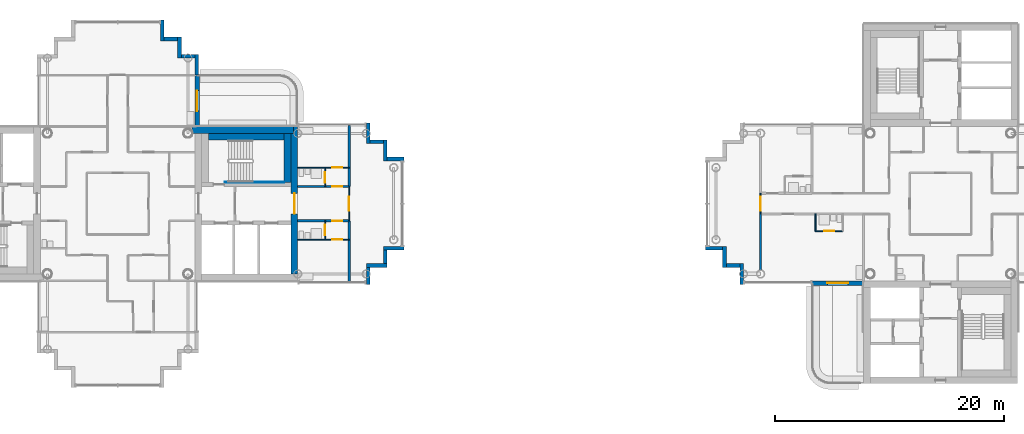
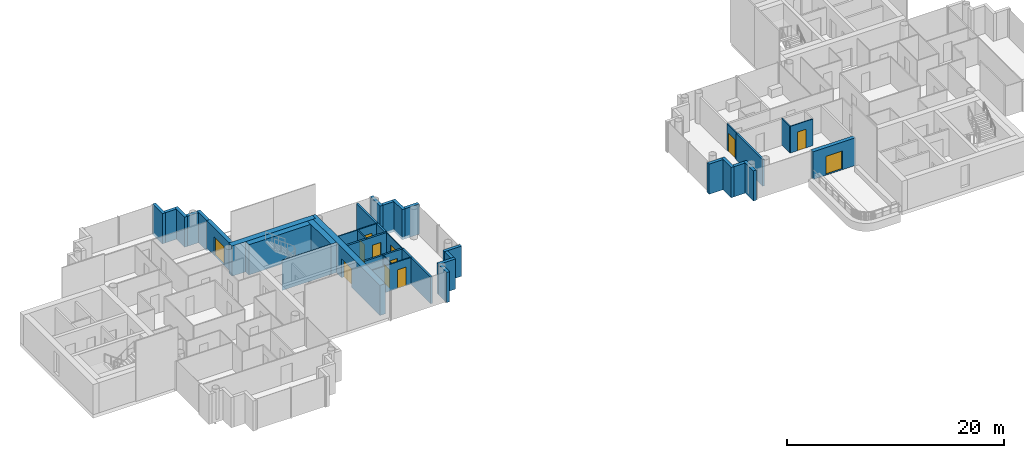
# One storey, part 8 of 18: 37 walls, 12 doors, 12 openings.
"""IFC4 building model written with IfcOpenShell, lengths in metres."""

from ifc_helpers import new_model, si_unit, direction, frame, frame_2d, origin, place, context, subcontext, project, spatial, rectangle, extrude, material, layer, layer_set, type_object, element, fill, save


model = new_model("IFC4")

# Units and contexts
model_context = context("Model", 3, precision=1e-05, world=origin(), true_north=direction((0.0, 1.0)))
body_context = subcontext(model_context, "Body", "Model", "MODEL_VIEW")
ifc_project = project(units=[si_unit("LENGTHUNIT", "METRE"), si_unit("AREAUNIT", "SQUARE_METRE"), si_unit("VOLUMEUNIT", "CUBIC_METRE"), si_unit("PLANEANGLEUNIT", "RADIAN"), si_unit("MASSUNIT", "GRAM", prefix="KILO")], contexts=[model_context])

# Site, building, storey
site_placement = place(None, origin())
site = spatial("IfcSite", under=ifc_project, at=site_placement, CompositionType="ELEMENT")
building_placement = place(site_placement, origin())
building = spatial("IfcBuilding", under=site, at=building_placement, Name="Ipe Terrace Towers", CompositionType="ELEMENT")
storey_placement = place(building_placement, frame((0.0, 0.0, 206.199951171875)))
storey = spatial("IfcBuildingStorey", under=building, at=storey_placement, Name="L57", CompositionType="ELEMENT", Elevation=206.199951171875)

# Wall, opening, door
ifc_material_1 = material(Name="Concrete C40/50 with buff precast cladding", Category="concrete")
ifc_layer_1 = layer(ifc_material_1, 0.39990234375)
ifc_layer_set_1 = layer_set([ifc_layer_1], Name="BALCONY BAY WALL 400")
wall_type_1 = type_object("IfcWallType", Name="BALCONY BAY WALL 400", PredefinedType="STANDARD", material=ifc_layer_set_1)
wall_1_placement = place(storey_placement, frame((-29.050048828125, 6.75, -0.02001953125), z_axis=(0.0, 0.0, 1.0), x_axis=(0.0, 1.0, 0.0)))
wall_1 = element("IfcWall", 1, at=wall_1_placement, inside=storey, type_object=wall_type_1, Name="T1-W-L57-28a wall", PredefinedType="STANDARD", context=body_context, shape_type="SweptSolid", body=[
    extrude(rectangle(XDim=4.5, YDim=0.39990234375, at=frame_2d((2.25, 0.0))), origin(), (0.0, 0.0, 1.0), 3.1201171875),
])
opening_1_placement = place(wall_1_placement, frame((1.35009765625, 0.0, 0.02001953125)))
opening_1 = element("IfcOpeningElement", 2, at=opening_1_placement, cuts=wall_1, Name="Opening T1-D-L57-28", PredefinedType="OPENING", context=body_context, shape_type="SweptSolid", body=[
    extrude(rectangle(XDim=1.800048828125, YDim=2.10009765625, at=frame_2d((0.89990234375, 1.050048828125))), frame((0.0, 0.2099609375, 0.0), z_axis=(0.0, -1.0, 0.0), x_axis=(1.0, 0.0, 0.0)), (0.0, 0.0, 1.0), 0.419921875),
])
ifc_material_2 = material(Name="Aluminium alloy 6063-T6 framed glazed door", Category="aluminium")
door_type_1 = type_object("IfcDoorType", Name="BALCONY DOOR 1800 x 2100 LEFT", OperationType="SINGLE_SWING_LEFT", PredefinedType="DOOR", material=ifc_material_2)
door_1_placement = place(opening_1_placement, origin())
door_1 = element("IfcDoor", 3, at=door_1_placement, inside=storey, type_object=door_type_1, Name="DB1 door", OperationType="SINGLE_SWING_LEFT", OverallHeight=2.10009765625, OverallWidth=1.800048828125, PredefinedType="DOOR", context=body_context, shape_type="SweptSolid", body=[
    extrude(rectangle(XDim=1.800048828125, YDim=2.10009765625, at=frame_2d((0.89990234375, 1.050048828125))), frame((0.0, 0.02490234375, 0.0), z_axis=(0.0, -1.0, 0.0), x_axis=(1.0, 0.0, 0.0)), (0.0, 0.0, 1.0), 0.050048828125),
])
fill(opening_1, door_1)

wall_2_placement = place(storey_placement, frame((24.75, -6.949951171875, -0.02001953125), z_axis=(0.0, 0.0, 1.0), x_axis=(1.0, 0.0, 0.0)))
wall_2 = element("IfcWall", 4, at=wall_2_placement, inside=storey, type_object=wall_type_1, Name="T2-W-L57-32a wall", PredefinedType="STANDARD", context=body_context, shape_type="SweptSolid", body=[
    extrude(rectangle(XDim=4.5, YDim=0.39990234375, at=frame_2d((2.25, 0.0))), origin(), (0.0, 0.0, 1.0), 3.1201171875),
])
opening_2_placement = place(wall_2_placement, frame((1.35009765625, 0.0, 0.02001953125)))
opening_2 = element("IfcOpeningElement", 5, at=opening_2_placement, cuts=wall_2, Name="Opening T2-D-L57-32", PredefinedType="OPENING", context=body_context, shape_type="SweptSolid", body=[
    extrude(rectangle(XDim=1.800048828125, YDim=2.10009765625, at=frame_2d((0.89990234375, 1.050048828125))), frame((0.0, 0.2099609375, 0.0), z_axis=(0.0, -1.0, 0.0), x_axis=(1.0, 0.0, 0.0)), (0.0, 0.0, 1.0), 0.419921875),
])
ifc_material_3 = material(Name="Aluminium alloy 6063-T6 framed glazed door", Category="aluminium")
door_type_2 = type_object("IfcDoorType", Name="BALCONY DOOR 1800 x 2100 RIGHT", OperationType="SINGLE_SWING_RIGHT", PredefinedType="DOOR", material=ifc_material_3)
door_2_placement = place(opening_2_placement, origin())
door_2 = element("IfcDoor", 6, at=door_2_placement, inside=storey, type_object=door_type_2, Name="DB2 door", OperationType="SINGLE_SWING_RIGHT", OverallHeight=2.10009765625, OverallWidth=1.800048828125, PredefinedType="DOOR", context=body_context, shape_type="SweptSolid", body=[
    extrude(rectangle(XDim=1.800048828125, YDim=2.10009765625, at=frame_2d((0.89990234375, 1.050048828125))), frame((0.0, 0.02490234375, 0.0), z_axis=(0.0, -1.0, 0.0), x_axis=(1.0, 0.0, 0.0)), (0.0, 0.0, 1.0), 0.050048828125),
])
fill(opening_2, door_2)

# Walls
ifc_material_4 = material(Name="Concrete C40/50 with buff precast cladding", Category="concrete")
ifc_layer_2 = layer(ifc_material_4, 0.320068359375)
ifc_layer_set_2 = layer_set([ifc_layer_2], Name="BUFF CLADDING WALL 320")
wall_type_2 = type_object("IfcWallType", Name="BUFF CLADDING WALL 320", PredefinedType="STANDARD", material=ifc_layer_set_2)
wall_3_placement = place(storey_placement, frame((-14.090087890625, -7.070068359375, -0.300048828125), z_axis=(0.0, 0.0, 1.0), x_axis=(0.0, 1.0, 0.0)))
element("IfcWall", 7, at=wall_3_placement, inside=storey, type_object=wall_type_2, Name="T1-W-L57-17a wall", PredefinedType="STANDARD", context=body_context, shape_type="SweptSolid", body=[
    extrude(rectangle(XDim=1.5, YDim=0.320068359375, at=frame_2d((0.75, 0.0))), origin(), (0.0, 0.0, 1.0), 3.400146484375),
])
wall_4_placement = place(storey_placement, frame((-14.25, -5.409912109375, -0.300048828125), z_axis=(0.0, 0.0, 1.0), x_axis=(1.0, 0.0, 0.0)))
element("IfcWall", 8, at=wall_4_placement, inside=storey, type_object=wall_type_2, Name="T1-W-L57-18a wall", PredefinedType="STANDARD", context=body_context, shape_type="SweptSolid", body=[
    extrude(rectangle(XDim=1.820068359375, YDim=0.320068359375, at=frame_2d((0.91015625, 0.0))), origin(), (0.0, 0.0, 1.0), 3.400146484375),
])
wall_5_placement = place(storey_placement, frame((-12.590087890625, -5.25, -0.300048828125), z_axis=(0.0, 0.0, 1.0), x_axis=(0.0, 1.0, 0.0)))
element("IfcWall", 9, at=wall_5_placement, inside=storey, type_object=wall_type_2, Name="T1-W-L57-19a wall", PredefinedType="STANDARD", context=body_context, shape_type="SweptSolid", body=[
    extrude(rectangle(XDim=1.179931640625, YDim=0.320068359375, at=frame_2d((0.58984375, 0.0))), origin(), (0.0, 0.0, 1.0), 3.400146484375),
])
wall_6_placement = place(storey_placement, frame((-12.75, -3.909912109375, -0.300048828125), z_axis=(0.0, 0.0, 1.0), x_axis=(1.0, 0.0, 0.0)))
element("IfcWall", 10, at=wall_6_placement, inside=storey, type_object=wall_type_2, Name="T1-W-L57-20a wall", PredefinedType="STANDARD", context=body_context, shape_type="SweptSolid", body=[
    extrude(rectangle(XDim=1.820068359375, YDim=0.320068359375, at=frame_2d((0.91015625, 0.0))), origin(), (0.0, 0.0, 1.0), 3.400146484375),
])
wall_7_placement = place(storey_placement, frame((-10.929931640625, 3.909912109375, -0.300048828125), z_axis=(0.0, 0.0, 1.0), x_axis=(-1.0, 0.0, 0.0)))
element("IfcWall", 11, at=wall_7_placement, inside=storey, type_object=wall_type_2, Name="T1-W-L57-22a wall", PredefinedType="STANDARD", context=body_context, shape_type="SweptSolid", body=[
    extrude(rectangle(XDim=1.5, YDim=0.320068359375, at=frame_2d((0.75, 0.0))), origin(), (0.0, 0.0, 1.0), 3.400146484375),
])
wall_8_placement = place(storey_placement, frame((-12.590087890625, 3.75, -0.300048828125), z_axis=(0.0, 0.0, 1.0), x_axis=(0.0, 1.0, 0.0)))
element("IfcWall", 12, at=wall_8_placement, inside=storey, type_object=wall_type_2, Name="T1-W-L57-23a wall", PredefinedType="STANDARD", context=body_context, shape_type="SweptSolid", body=[
    extrude(rectangle(XDim=1.820068359375, YDim=0.320068359375, at=frame_2d((0.91015625, 0.0))), origin(), (0.0, 0.0, 1.0), 3.400146484375),
])
wall_9_placement = place(storey_placement, frame((-12.75, 5.409912109375, -0.300048828125), z_axis=(0.0, 0.0, 1.0), x_axis=(-1.0, 0.0, 0.0)))
element("IfcWall", 13, at=wall_9_placement, inside=storey, type_object=wall_type_2, Name="T1-W-L57-24a wall", PredefinedType="STANDARD", context=body_context, shape_type="SweptSolid", body=[
    extrude(rectangle(XDim=1.179931640625, YDim=0.320068359375, at=frame_2d((0.58984375, 0.0))), origin(), (0.0, 0.0, 1.0), 3.400146484375),
])
for number, where, z_axis, x_axis, name in (
    (14, (-14.090087890625, 5.25, -0.300048828125), (0.0, 0.0, 1.0), (0.0, 1.0, 0.0), "T1-W-L57-25a wall"),
    (15, (-29.090087890625, 11.25, -0.300048828125), (0.0, 0.0, 1.0), (0.0, 1.0, 0.0), "T1-W-L57-29a wall"),
):
    element("IfcWall", number, at=place(storey_placement, frame(where, z_axis=z_axis, x_axis=x_axis)), inside=storey, type_object=wall_type_2, Name=name, PredefinedType="STANDARD", context=body_context, shape_type="SweptSolid", body=[
        extrude(rectangle(XDim=1.820068359375, YDim=0.320068359375, at=frame_2d((0.91015625, 0.0))), origin(), (0.0, 0.0, 1.0), 3.400146484375),
    ])
wall_10_placement = place(storey_placement, frame((-29.25, 12.909912109375, -0.300048828125), z_axis=(0.0, 0.0, 1.0), x_axis=(-1.0, 0.0, 0.0)))
element("IfcWall", 16, at=wall_10_placement, inside=storey, type_object=wall_type_2, Name="T1-W-L57-30a wall", PredefinedType="STANDARD", context=body_context, shape_type="SweptSolid", body=[
    extrude(rectangle(XDim=1.179931640625, YDim=0.320068359375, at=frame_2d((0.58984375, 0.0))), origin(), (0.0, 0.0, 1.0), 3.400146484375),
])
wall_11_placement = place(storey_placement, frame((-30.590087890625, 12.75, -0.300048828125), z_axis=(0.0, 0.0, 1.0), x_axis=(0.0, 1.0, 0.0)))
element("IfcWall", 17, at=wall_11_placement, inside=storey, type_object=wall_type_2, Name="T1-W-L57-31a wall", PredefinedType="STANDARD", context=body_context, shape_type="SweptSolid", body=[
    extrude(rectangle(XDim=1.820068359375, YDim=0.320068359375, at=frame_2d((0.91015625, 0.0))), origin(), (0.0, 0.0, 1.0), 3.400146484375),
])
wall_12_placement = place(storey_placement, frame((-30.75, 14.409912109375, -0.300048828125), z_axis=(0.0, 0.0, 1.0), x_axis=(-1.0, 0.0, 0.0)))
element("IfcWall", 18, at=wall_12_placement, inside=storey, type_object=wall_type_2, Name="T1-W-L57-32a wall", PredefinedType="STANDARD", context=body_context, shape_type="SweptSolid", body=[
    extrude(rectangle(XDim=1.179931640625, YDim=0.320068359375, at=frame_2d((0.58984375, 0.0))), origin(), (0.0, 0.0, 1.0), 3.400146484375),
])
wall_13_placement = place(storey_placement, frame((-32.090087890625, 14.25, -0.300048828125), z_axis=(0.0, 0.0, 1.0), x_axis=(0.0, 1.0, 0.0)))
element("IfcWall", 19, at=wall_13_placement, inside=storey, type_object=wall_type_2, Name="T1-W-L57-33a wall", PredefinedType="STANDARD", context=body_context, shape_type="SweptSolid", body=[
    extrude(rectangle(XDim=1.820068359375, YDim=0.320068359375, at=frame_2d((0.91015625, 0.0))), origin(), (0.0, 0.0, 1.0), 3.400146484375),
])
wall_14_placement = place(storey_placement, frame((15.429931640625, -3.909912109375, -0.300048828125), z_axis=(0.0, 0.0, 1.0), x_axis=(1.0, 0.0, 0.0)))
element("IfcWall", 20, at=wall_14_placement, inside=storey, type_object=wall_type_2, Name="T2-W-L57-27a wall", PredefinedType="STANDARD", context=body_context, shape_type="SweptSolid", body=[
    extrude(rectangle(XDim=1.5, YDim=0.320068359375, at=frame_2d((0.75, 0.0))), origin(), (0.0, 0.0, 1.0), 3.400146484375),
])
wall_15_placement = place(storey_placement, frame((17.090087890625, -3.75, -0.300048828125), z_axis=(0.0, 0.0, 1.0), x_axis=(0.0, -1.0, 0.0)))
element("IfcWall", 21, at=wall_15_placement, inside=storey, type_object=wall_type_2, Name="T2-W-L57-28a wall", PredefinedType="STANDARD", context=body_context, shape_type="SweptSolid", body=[
    extrude(rectangle(XDim=1.820068359375, YDim=0.320068359375, at=frame_2d((0.91015625, 0.0))), origin(), (0.0, 0.0, 1.0), 3.400146484375),
])
wall_16_placement = place(storey_placement, frame((17.25, -5.409912109375, -0.300048828125), z_axis=(0.0, 0.0, 1.0), x_axis=(1.0, 0.0, 0.0)))
element("IfcWall", 22, at=wall_16_placement, inside=storey, type_object=wall_type_2, Name="T2-W-L57-29a wall", PredefinedType="STANDARD", context=body_context, shape_type="SweptSolid", body=[
    extrude(rectangle(XDim=1.179931640625, YDim=0.320068359375, at=frame_2d((0.58984375, 0.0))), origin(), (0.0, 0.0, 1.0), 3.400146484375),
])
wall_17_placement = place(storey_placement, frame((18.590087890625, -5.25, -0.300048828125), z_axis=(0.0, 0.0, 1.0), x_axis=(0.0, -1.0, 0.0)))
element("IfcWall", 23, at=wall_17_placement, inside=storey, type_object=wall_type_2, Name="T2-W-L57-30a wall", PredefinedType="STANDARD", context=body_context, shape_type="SweptSolid", body=[
    extrude(rectangle(XDim=1.820068359375, YDim=0.320068359375, at=frame_2d((0.91015625, 0.0))), origin(), (0.0, 0.0, 1.0), 3.400146484375),
])

# Wall, opening, door
ifc_material_5 = material(Name="Gypsum board partition", Category="plasterboard")
ifc_layer_3 = layer(ifc_material_5, 0.10009765625)
ifc_layer_set_3 = layer_set([ifc_layer_3], Name="Gypsum board partition 100 mm")
wall_type_3 = type_object("IfcWallType", Name="Gypsum board partition 100 mm", PredefinedType="PARTITIONING", material=ifc_layer_set_3)
wall_18_placement = place(storey_placement, frame((-17.85009765625, -3.14990234375, 0.0), z_axis=(0.0, 0.0, 1.0), x_axis=(0.0, 1.0, 0.0)))
wall_18 = element("IfcWall", 24, at=wall_18_placement, inside=storey, type_object=wall_type_3, Name="Gypsum board partition T1 L57 W13", PredefinedType="PARTITIONING", context=body_context, shape_type="SweptSolid", body=[
    extrude(rectangle(XDim=1.64990234375, YDim=0.10009765625, at=frame_2d((0.824951171875, 0.0))), origin(), (0.0, 0.0, 1.0), 3.0),
])
opening_3_placement = place(wall_18_placement, frame((0.39990234375, 0.0, 0.0)))
opening_3 = element("IfcOpeningElement", 25, at=opening_3_placement, cuts=wall_18, Name="Opening T1-Z4E-21", PredefinedType="OPENING", context=body_context, shape_type="SweptSolid", body=[
    extrude(rectangle(XDim=0.89990234375, YDim=2.10009765625, at=frame_2d((0.449951171875, 1.050048828125))), frame((0.0, 0.06005859375, 0.0), z_axis=(0.0, -1.0, 0.0), x_axis=(1.0, 0.0, 0.0)), (0.0, 0.0, 1.0), 0.1201171875),
])
ifc_material_6 = material(Name="Timber door leaf", Category="wood")
door_type_3 = type_object("IfcDoorType", Name="Bathroom door 900 x 2100", OperationType="NOTDEFINED", PredefinedType="DOOR", material=ifc_material_6)
door_3_placement = place(opening_3_placement, origin())
door_3 = element("IfcDoor", 26, at=door_3_placement, inside=storey, type_object=door_type_3, Name="Bathroom door T1-Z4E-21", OperationType="SINGLE_SWING_LEFT", OverallHeight=2.10009765625, OverallWidth=0.89990234375, PredefinedType="DOOR", context=body_context, shape_type="SweptSolid", body=[
    extrude(rectangle(XDim=0.89990234375, YDim=2.10009765625, at=frame_2d((0.449951171875, 1.050048828125))), frame((0.0, 0.02490234375, 0.0), z_axis=(0.0, -1.0, 0.0), x_axis=(1.0, 0.0, 0.0)), (0.0, 0.0, 1.0), 0.050048828125),
])
fill(opening_3, door_3)

wall_19_placement = place(storey_placement, frame((-17.85009765625, 1.5, 0.0), z_axis=(0.0, 0.0, 1.0), x_axis=(0.0, 1.0, 0.0)))
wall_19 = element("IfcWall", 27, at=wall_19_placement, inside=storey, type_object=wall_type_3, Name="Gypsum board partition T1 L57 W14", PredefinedType="PARTITIONING", context=body_context, shape_type="SweptSolid", body=[
    extrude(rectangle(XDim=1.64990234375, YDim=0.10009765625, at=frame_2d((0.824951171875, 0.0))), origin(), (0.0, 0.0, 1.0), 3.0),
])
opening_4_placement = place(wall_19_placement, frame((0.35009765625, 0.0, 0.0)))
opening_4 = element("IfcOpeningElement", 28, at=opening_4_placement, cuts=wall_19, Name="Opening T1-Z4E-18", PredefinedType="OPENING", context=body_context, shape_type="SweptSolid", body=[
    extrude(rectangle(XDim=0.89990234375, YDim=2.10009765625, at=frame_2d((0.449951171875, 1.050048828125))), frame((0.0, 0.06005859375, 0.0), z_axis=(0.0, -1.0, 0.0), x_axis=(1.0, 0.0, 0.0)), (0.0, 0.0, 1.0), 0.1201171875),
])
door_4_placement = place(opening_4_placement, origin())
door_4 = element("IfcDoor", 29, at=door_4_placement, inside=storey, type_object=door_type_3, Name="Bathroom door T1-Z4E-18", OperationType="SINGLE_SWING_RIGHT", OverallHeight=2.10009765625, OverallWidth=0.89990234375, PredefinedType="DOOR", context=body_context, shape_type="SweptSolid", body=[
    extrude(rectangle(XDim=0.89990234375, YDim=2.10009765625, at=frame_2d((0.449951171875, 1.050048828125))), frame((0.0, 0.02490234375, 0.0), z_axis=(0.0, -1.0, 0.0), x_axis=(1.0, 0.0, 0.0)), (0.0, 0.0, 1.0), 0.050048828125),
])
fill(opening_4, door_4)

wall_20_placement = place(storey_placement, frame((-15.75, -1.5, 0.0), z_axis=(0.0, 0.0, 1.0), x_axis=(0.0, 1.0, 0.0)))
wall_20 = element("IfcWall", 30, at=wall_20_placement, inside=storey, type_object=wall_type_3, Name="Gypsum board partition T1 L57 W15", PredefinedType="PARTITIONING", context=body_context, shape_type="SweptSolid", body=[
    extrude(rectangle(XDim=3.0, YDim=0.10009765625, at=frame_2d((1.5, 0.0))), origin(), (0.0, 0.0, 1.0), 3.0),
])
opening_5_placement = place(wall_20_placement, frame((0.89990234375, 0.0, 0.0)))
opening_5 = element("IfcOpeningElement", 31, at=opening_5_placement, cuts=wall_20, Name="Opening T1-Z4E-22", PredefinedType="OPENING", context=body_context, shape_type="SweptSolid", body=[
    extrude(rectangle(XDim=1.199951171875, YDim=2.10009765625, at=frame_2d((0.60009765625, 1.050048828125))), frame((0.0, 0.06005859375, 0.0), z_axis=(0.0, -1.0, 0.0), x_axis=(1.0, 0.0, 0.0)), (0.0, 0.0, 1.0), 0.1201171875),
])
ifc_material_7 = material(Name="Timber door leaf", Category="wood")
door_type_4 = type_object("IfcDoorType", Name="Lounge door 1200 x 2100", OperationType="NOTDEFINED", PredefinedType="DOOR", material=ifc_material_7)
door_5_placement = place(opening_5_placement, origin())
door_5 = element("IfcDoor", 32, at=door_5_placement, inside=storey, type_object=door_type_4, Name="Lounge door T1-Z4E-22", OperationType="SINGLE_SWING_RIGHT", OverallHeight=2.10009765625, OverallWidth=1.199951171875, PredefinedType="DOOR", context=body_context, shape_type="SweptSolid", body=[
    extrude(rectangle(XDim=1.199951171875, YDim=2.10009765625, at=frame_2d((0.60009765625, 1.050048828125))), frame((0.0, 0.02490234375, 0.0), z_axis=(0.0, -1.0, 0.0), x_axis=(1.0, 0.0, 0.0)), (0.0, 0.0, 1.0), 0.050048828125),
])
fill(opening_5, door_5)

wall_21_placement = place(storey_placement, frame((-20.25, -3.14990234375, 0.0), z_axis=(0.0, 0.0, 1.0), x_axis=(1.0, 0.0, 0.0)))
wall_21 = element("IfcWall", 33, at=wall_21_placement, inside=storey, type_object=wall_type_3, Name="Gypsum board partition T1 L57 W25", PredefinedType="PARTITIONING", context=body_context, shape_type="SweptSolid", body=[
    extrude(rectangle(XDim=4.5, YDim=0.10009765625, at=frame_2d((2.25, 0.0))), origin(), (0.0, 0.0, 1.0), 3.0),
])
opening_6_placement = place(wall_21_placement, frame((3.0, 0.0, 0.0)))
opening_6 = element("IfcOpeningElement", 34, at=opening_6_placement, cuts=wall_21, Name="Opening T1-Z4E-20", PredefinedType="OPENING", context=body_context, shape_type="SweptSolid", body=[
    extrude(rectangle(XDim=0.89990234375, YDim=2.10009765625, at=frame_2d((0.449951171875, 1.050048828125))), frame((0.0, 0.06005859375, 0.0), z_axis=(0.0, -1.0, 0.0), x_axis=(1.0, 0.0, 0.0)), (0.0, 0.0, 1.0), 0.1201171875),
])
ifc_material_8 = material(Name="Timber door leaf", Category="wood")
door_type_5 = type_object("IfcDoorType", Name="Bedroom door 900 x 2100", OperationType="NOTDEFINED", PredefinedType="DOOR", material=ifc_material_8)
door_6_placement = place(opening_6_placement, origin())
door_6 = element("IfcDoor", 35, at=door_6_placement, inside=storey, type_object=door_type_5, Name="Bedroom door T1-Z4E-20", OperationType="SINGLE_SWING_RIGHT", OverallHeight=2.10009765625, OverallWidth=0.89990234375, PredefinedType="DOOR", context=body_context, shape_type="SweptSolid", body=[
    extrude(rectangle(XDim=0.89990234375, YDim=2.10009765625, at=frame_2d((0.449951171875, 1.050048828125))), frame((0.0, 0.02490234375, 0.0), z_axis=(0.0, -1.0, 0.0), x_axis=(1.0, 0.0, 0.0)), (0.0, 0.0, 1.0), 0.050048828125),
])
fill(opening_6, door_6)

wall_22_placement = place(storey_placement, frame((-20.25, 3.14990234375, 0.0), z_axis=(0.0, 0.0, 1.0), x_axis=(1.0, 0.0, 0.0)))
wall_22 = element("IfcWall", 36, at=wall_22_placement, inside=storey, type_object=wall_type_3, Name="Gypsum board partition T1 L57 W34", PredefinedType="PARTITIONING", context=body_context, shape_type="SweptSolid", body=[
    extrude(rectangle(XDim=4.5, YDim=0.10009765625, at=frame_2d((2.25, 0.0))), origin(), (0.0, 0.0, 1.0), 3.0),
])
opening_7_placement = place(wall_22_placement, frame((3.0, 0.0, 0.0)))
opening_7 = element("IfcOpeningElement", 37, at=opening_7_placement, cuts=wall_22, Name="Opening T1-Z4E-17", PredefinedType="OPENING", context=body_context, shape_type="SweptSolid", body=[
    extrude(rectangle(XDim=0.89990234375, YDim=2.10009765625, at=frame_2d((0.449951171875, 1.050048828125))), frame((0.0, 0.06005859375, 0.0), z_axis=(0.0, -1.0, 0.0), x_axis=(1.0, 0.0, 0.0)), (0.0, 0.0, 1.0), 0.1201171875),
])
door_7_placement = place(opening_7_placement, origin())
door_7 = element("IfcDoor", 38, at=door_7_placement, inside=storey, type_object=door_type_5, Name="Bedroom door T1-Z4E-17", OperationType="SINGLE_SWING_LEFT", OverallHeight=2.10009765625, OverallWidth=0.89990234375, PredefinedType="DOOR", context=body_context, shape_type="SweptSolid", body=[
    extrude(rectangle(XDim=0.89990234375, YDim=2.10009765625, at=frame_2d((0.449951171875, 1.050048828125))), frame((0.0, 0.02490234375, 0.0), z_axis=(0.0, -1.0, 0.0), x_axis=(1.0, 0.0, 0.0)), (0.0, 0.0, 1.0), 0.050048828125),
])
fill(opening_7, door_7)

wall_23_placement = place(storey_placement, frame((27.449951171875, -2.39990234375, 0.0), z_axis=(0.0, 0.0, 1.0), x_axis=(-1.0, 0.0, 0.0)))
wall_23 = element("IfcWall", 39, at=wall_23_placement, inside=storey, type_object=wall_type_3, Name="Gypsum board partition T2 L57 W04", PredefinedType="PARTITIONING", context=body_context, shape_type="SweptSolid", body=[
    extrude(rectangle(XDim=2.39990234375, YDim=0.10009765625, at=frame_2d((1.199951171875, 0.0))), origin(), (0.0, 0.0, 1.0), 3.0),
])
opening_8_placement = place(wall_23_placement, frame((0.75, 0.0, 0.0)))
opening_8 = element("IfcOpeningElement", 40, at=opening_8_placement, cuts=wall_23, Name="Opening T2-Z4E-11", PredefinedType="OPENING", context=body_context, shape_type="SweptSolid", body=[
    extrude(rectangle(XDim=0.89990234375, YDim=2.10009765625, at=frame_2d((0.449951171875, 1.050048828125))), frame((0.0, 0.06005859375, 0.0), z_axis=(0.0, -1.0, 0.0), x_axis=(1.0, 0.0, 0.0)), (0.0, 0.0, 1.0), 0.1201171875),
])
door_8_placement = place(opening_8_placement, origin())
door_8 = element("IfcDoor", 41, at=door_8_placement, inside=storey, type_object=door_type_3, Name="Bathroom door T2-Z4E-11", OperationType="SINGLE_SWING_RIGHT", OverallHeight=2.10009765625, OverallWidth=0.89990234375, PredefinedType="DOOR", context=body_context, shape_type="SweptSolid", body=[
    extrude(rectangle(XDim=0.89990234375, YDim=2.10009765625, at=frame_2d((0.449951171875, 1.050048828125))), frame((0.0, 0.02490234375, 0.0), z_axis=(0.0, -1.0, 0.0), x_axis=(1.0, 0.0, 0.0)), (0.0, 0.0, 1.0), 0.050048828125),
])
fill(opening_8, door_8)

# Wall
wall_24_placement = place(storey_placement, frame((25.050048828125, -2.39990234375, 0.0), z_axis=(0.0, 0.0, 1.0), x_axis=(0.0, 1.0, 0.0)))
element("IfcWall", 42, at=wall_24_placement, inside=storey, type_object=wall_type_3, Name="Gypsum board partition T2 L57 W35", PredefinedType="PARTITIONING", context=body_context, shape_type="SweptSolid", body=[
    extrude(rectangle(XDim=1.5, YDim=0.10009765625, at=frame_2d((0.75, 0.0))), origin(), (0.0, 0.0, 1.0), 3.0),
])

# Wall, opening, door
wall_25_placement = place(storey_placement, frame((20.25, -0.89990234375, 0.0), z_axis=(0.0, 0.0, 1.0), x_axis=(0.0, 1.0, 0.0)))
wall_25 = element("IfcWall", 43, at=wall_25_placement, inside=storey, type_object=wall_type_3, Name="Gypsum board partition T2 L57 W38", PredefinedType="PARTITIONING", context=body_context, shape_type="SweptSolid", body=[
    extrude(rectangle(XDim=1.7998046875, YDim=0.10009765625, at=frame_2d((0.89990234375, 0.0))), origin(), (0.0, 0.0, 1.0), 3.0),
])
opening_9_placement = place(wall_25_placement, frame((0.300048828125, 0.0, 0.0)))
opening_9 = element("IfcOpeningElement", 44, at=opening_9_placement, cuts=wall_25, Name="Opening T2-Z4E-15", PredefinedType="OPENING", context=body_context, shape_type="SweptSolid", body=[
    extrude(rectangle(XDim=1.199951171875, YDim=2.10009765625, at=frame_2d((0.60009765625, 1.050048828125))), frame((0.0, 0.06005859375, 0.0), z_axis=(0.0, -1.0, 0.0), x_axis=(1.0, 0.0, 0.0)), (0.0, 0.0, 1.0), 0.1201171875),
])
door_9_placement = place(opening_9_placement, origin())
door_9 = element("IfcDoor", 45, at=door_9_placement, inside=storey, type_object=door_type_4, Name="Lounge door T2-Z4E-15", OperationType="SINGLE_SWING_LEFT", OverallHeight=2.10009765625, OverallWidth=1.199951171875, PredefinedType="DOOR", context=body_context, shape_type="SweptSolid", body=[
    extrude(rectangle(XDim=1.199951171875, YDim=2.10009765625, at=frame_2d((0.60009765625, 1.050048828125))), frame((0.0, 0.02490234375, 0.0), z_axis=(0.0, -1.0, 0.0), x_axis=(1.0, 0.0, 0.0)), (0.0, 0.0, 1.0), 0.050048828125),
])
fill(opening_9, door_9)

# Walls
ifc_material_9 = material(Name="Gypsum board party wall", Category="plasterboard")
ifc_layer_4 = layer(ifc_material_9, 0.199951171875)
ifc_layer_set_4 = layer_set([ifc_layer_4], Name="Gypsum board party wall 200 mm")
wall_type_4 = type_object("IfcWallType", Name="Gypsum board party wall 200 mm", PredefinedType="SOLIDWALL", material=ifc_layer_set_4)
for number, where, z_axis, x_axis, name in (
    (46, (-15.75, -6.85009765625, 0.0), (0.0, 0.0, 1.0), (0.0, 1.0, 0.0), "Gypsum board party wall T1 L57 W16"),
    (47, (-15.75, 1.5, 0.0), (0.0, 0.0, 1.0), (0.0, 1.0, 0.0), "Gypsum board party wall T1 L57 W17"),
):
    element("IfcWall", number, at=place(storey_placement, frame(where, z_axis=z_axis, x_axis=x_axis)), inside=storey, type_object=wall_type_4, Name=name, PredefinedType="SOLIDWALL", context=body_context, shape_type="SweptSolid", body=[
        extrude(rectangle(XDim=5.35009765625, YDim=0.199951171875, at=frame_2d((2.675048828125, 0.0))), origin(), (0.0, 0.0, 1.0), 3.0),
    ])

# Wall, opening, door
wall_26_placement = place(storey_placement, frame((-20.25, -1.5, 0.0), z_axis=(0.0, 0.0, 1.0), x_axis=(1.0, 0.0, 0.0)))
wall_26 = element("IfcWall", 48, at=wall_26_placement, inside=storey, type_object=wall_type_4, Name="Gypsum board party wall T1 L57 W29", PredefinedType="SOLIDWALL", context=body_context, shape_type="SweptSolid", body=[
    extrude(rectangle(XDim=4.5, YDim=0.199951171875, at=frame_2d((2.25, 0.0))), origin(), (0.0, 0.0, 1.0), 3.0),
])
opening_10_placement = place(wall_26_placement, frame((3.0, 0.0, 0.0)))
opening_10 = element("IfcOpeningElement", 49, at=opening_10_placement, cuts=wall_26, Name="Opening T1-Z4E-19", PredefinedType="OPENING", context=body_context, shape_type="SweptSolid", body=[
    extrude(rectangle(XDim=0.89990234375, YDim=2.10009765625, at=frame_2d((0.449951171875, 1.050048828125))), frame((0.0, 0.10986328125, 0.0), z_axis=(0.0, -1.0, 0.0), x_axis=(1.0, 0.0, 0.0)), (0.0, 0.0, 1.0), 0.219970703125),
])
ifc_material_10 = material(Name="Fire-rated timber door leaf", Category="wood")
door_type_6 = type_object("IfcDoorType", Name="Flat entrance door 900 x 2100 FD30S", OperationType="NOTDEFINED", PredefinedType="DOOR", material=ifc_material_10)
door_10_placement = place(opening_10_placement, origin())
door_10 = element("IfcDoor", 50, at=door_10_placement, inside=storey, type_object=door_type_6, Name="Flat entrance door T1-Z4E-19", OperationType="SINGLE_SWING_RIGHT", OverallHeight=2.10009765625, OverallWidth=0.89990234375, PredefinedType="DOOR", context=body_context, shape_type="SweptSolid", body=[
    extrude(rectangle(XDim=0.89990234375, YDim=2.10009765625, at=frame_2d((0.449951171875, 1.050048828125))), frame((0.0, 0.02490234375, 0.0), z_axis=(0.0, -1.0, 0.0), x_axis=(1.0, 0.0, 0.0)), (0.0, 0.0, 1.0), 0.050048828125),
])
fill(opening_10, door_10)

wall_27_placement = place(storey_placement, frame((-20.25, 1.5, 0.0), z_axis=(0.0, 0.0, 1.0), x_axis=(1.0, 0.0, 0.0)))
wall_27 = element("IfcWall", 51, at=wall_27_placement, inside=storey, type_object=wall_type_4, Name="Gypsum board party wall T1 L57 W32", PredefinedType="SOLIDWALL", context=body_context, shape_type="SweptSolid", body=[
    extrude(rectangle(XDim=4.5, YDim=0.199951171875, at=frame_2d((2.25, 0.0))), origin(), (0.0, 0.0, 1.0), 3.0),
])
opening_11_placement = place(wall_27_placement, frame((3.0, 0.0, 0.0)))
opening_11 = element("IfcOpeningElement", 52, at=opening_11_placement, cuts=wall_27, Name="Opening T1-Z4E-16", PredefinedType="OPENING", context=body_context, shape_type="SweptSolid", body=[
    extrude(rectangle(XDim=0.89990234375, YDim=2.10009765625, at=frame_2d((0.449951171875, 1.050048828125))), frame((0.0, 0.10986328125, 0.0), z_axis=(0.0, -1.0, 0.0), x_axis=(1.0, 0.0, 0.0)), (0.0, 0.0, 1.0), 0.219970703125),
])
door_11_placement = place(opening_11_placement, origin())
door_11 = element("IfcDoor", 53, at=door_11_placement, inside=storey, type_object=door_type_6, Name="Flat entrance door T1-Z4E-16", OperationType="SINGLE_SWING_LEFT", OverallHeight=2.10009765625, OverallWidth=0.89990234375, PredefinedType="DOOR", context=body_context, shape_type="SweptSolid", body=[
    extrude(rectangle(XDim=0.89990234375, YDim=2.10009765625, at=frame_2d((0.449951171875, 1.050048828125))), frame((0.0, 0.02490234375, 0.0), z_axis=(0.0, -1.0, 0.0), x_axis=(1.0, 0.0, 0.0)), (0.0, 0.0, 1.0), 0.050048828125),
])
fill(opening_11, door_11)

# Walls
wall_28_placement = place(storey_placement, frame((20.25, -5.800048828125, 0.0), z_axis=(0.0, 0.0, 1.0), x_axis=(0.0, 1.0, 0.0)))
element("IfcWall", 54, at=wall_28_placement, inside=storey, type_object=wall_type_4, Name="Gypsum board party wall T2 L57 W39", PredefinedType="SOLIDWALL", context=body_context, shape_type="SweptSolid", body=[
    extrude(rectangle(XDim=4.900146484375, YDim=0.199951171875, at=frame_2d((2.4501953125, 0.0))), origin(), (0.0, 0.0, 1.0), 3.0),
])
ifc_material_11 = material(Name="Concrete C40/50", Category="concrete")
ifc_layer_5 = layer(ifc_material_11, 0.050048828125)
ifc_layer_set_5 = layer_set([ifc_layer_5], Name="RW50 CORE INFILL WALL 50 C40-50")
wall_type_5 = type_object("IfcWallType", Name="RW50 CORE INFILL WALL 50 C40-50", PredefinedType="SHEAR", material=ifc_layer_set_5)
wall_29_placement = place(storey_placement, frame((-26.64990234375, 1.875, 0.0), z_axis=(0.0, 0.0, 1.0), x_axis=(1.0, 0.0, 0.0)))
element("IfcWall", 55, at=wall_29_placement, inside=storey, type_object=wall_type_5, Name="Core infill wall T1-C1-spine-b", PredefinedType="SHEAR", context=body_context, shape_type="SweptSolid", body=[
    extrude(rectangle(XDim=5.199951171875, YDim=0.050048828125, at=frame_2d((2.60009765625, 0.0))), origin(), (0.0, 0.0, 1.0), 3.400146484375),
])
ifc_material_12 = material(Name="Concrete C40/50", Category="concrete")
ifc_layer_6 = layer(ifc_material_12, 0.60009765625)
ifc_layer_set_6 = layer_set([ifc_layer_6], Name="RW600 CORE INFILL WALL 600 C40-50")
wall_type_6 = type_object("IfcWallType", Name="RW600 CORE INFILL WALL 600 C40-50", PredefinedType="SHEAR", material=ifc_layer_set_6)
wall_30_placement = place(storey_placement, frame((-21.14990234375, 1.85009765625, 0.0), z_axis=(0.0, 0.0, 1.0), x_axis=(0.0, 1.0, 0.0)))
element("IfcWall", 56, at=wall_30_placement, inside=storey, type_object=wall_type_6, Name="Core infill wall T1-C1-far", PredefinedType="SHEAR", context=body_context, shape_type="SweptSolid", body=[
    extrude(rectangle(XDim=4.2998046875, YDim=0.60009765625, at=frame_2d((2.14990234375, 0.0))), origin(), (0.0, 0.0, 1.0), 3.400146484375),
])
wall_31_placement = place(storey_placement, frame((-28.050048828125, 5.85009765625, 0.0), z_axis=(0.0, 0.0, 1.0), x_axis=(1.0, 0.0, 0.0)))
element("IfcWall", 57, at=wall_31_placement, inside=storey, type_object=wall_type_6, Name="Core infill wall T1-C1-back", PredefinedType="SHEAR", context=body_context, shape_type="SweptSolid", body=[
    extrude(rectangle(XDim=6.60009765625, YDim=0.60009765625, at=frame_2d((3.300048828125, 0.0))), origin(), (0.0, 0.0, 1.0), 3.400146484375),
])

# Wall, opening, door
ifc_material_13 = material(Name="Concrete C40/50", Category="concrete")
ifc_layer_7 = layer(ifc_material_13, 0.60009765625)
ifc_layer_set_7 = layer_set([ifc_layer_7], Name="RW600 CORE WALL 600 C40-50")
wall_type_7 = type_object("IfcWallType", Name="RW600 CORE WALL 600 C40-50", PredefinedType="SHEAR", material=ifc_layer_set_7)
wall_32_placement = place(storey_placement, frame((-20.550048828125, -6.14990234375, 0.0), z_axis=(0.0, 0.0, 1.0), x_axis=(0.0, 1.0, 0.0)))
wall_32 = element("IfcWall", 58, at=wall_32_placement, inside=storey, type_object=wall_type_7, Name="Core wall T1-C1-Z4-W02", PredefinedType="SHEAR", context=body_context, shape_type="SweptSolid", body=[
    extrude(rectangle(XDim=12.89990234375, YDim=0.60009765625, at=frame_2d((6.449951171875, 0.0))), origin(), (0.0, 0.0, 1.0), 3.400146484375),
])
opening_12_placement = place(wall_32_placement, frame((5.25, 0.0, 0.0)))
opening_12 = element("IfcOpeningElement", 59, at=opening_12_placement, cuts=wall_32, Name="Opening T1C1-FD", PredefinedType="OPENING", context=body_context, shape_type="SweptSolid", body=[
    extrude(rectangle(XDim=1.800048828125, YDim=2.10009765625, at=frame_2d((0.89990234375, 1.050048828125))), frame((0.0, 0.31005859375, 0.0), z_axis=(0.0, -1.0, 0.0), x_axis=(1.0, 0.0, 0.0)), (0.0, 0.0, 1.0), 0.6201171875),
])
ifc_material_14 = material(Name="Fire-rated timber door leaf", Category="wood")
door_type_7 = type_object("IfcDoorType", Name="Fire door 1800 x 2100 FD30S", OperationType="NOTDEFINED", PredefinedType="DOOR", material=ifc_material_14)
door_12_placement = place(opening_12_placement, origin())
door_12 = element("IfcDoor", 60, at=door_12_placement, inside=storey, type_object=door_type_7, Name="Fire door T1C1-FD", OperationType="SINGLE_SWING_LEFT", OverallHeight=2.10009765625, OverallWidth=1.800048828125, PredefinedType="DOOR", context=body_context, shape_type="SweptSolid", body=[
    extrude(rectangle(XDim=1.800048828125, YDim=2.10009765625, at=frame_2d((0.89990234375, 1.050048828125))), frame((0.0, 0.02490234375, 0.0), z_axis=(0.0, -1.0, 0.0), x_axis=(1.0, 0.0, 0.0)), (0.0, 0.0, 1.0), 0.050048828125),
])
fill(opening_12, door_12)

# Wall
wall_33_placement = place(storey_placement, frame((-20.60205078125, 6.449951171875, 0.0), z_axis=(0.0, 0.0, 1.0), x_axis=(-1.0, 0.0, 0.0)))
element("IfcWall", 61, at=wall_33_placement, inside=storey, type_object=wall_type_7, Name="Core wall T1-C1-Z4-W03", PredefinedType="SHEAR", context=body_context, shape_type="SweptSolid", body=[
    extrude(rectangle(XDim=8.89599609375, YDim=0.60009765625, at=frame_2d((4.447998046875, 0.0))), origin(), (0.0, 0.0, 1.0), 3.400146484375),
])

save(model, "model.ifc")
